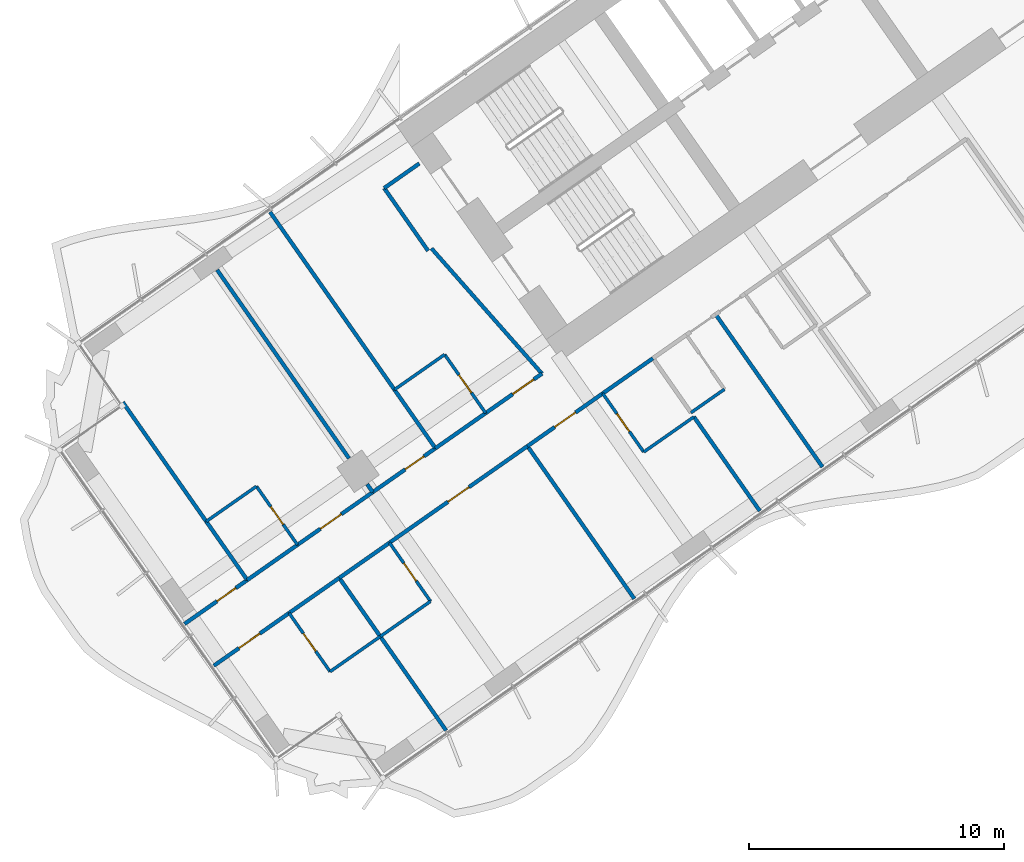
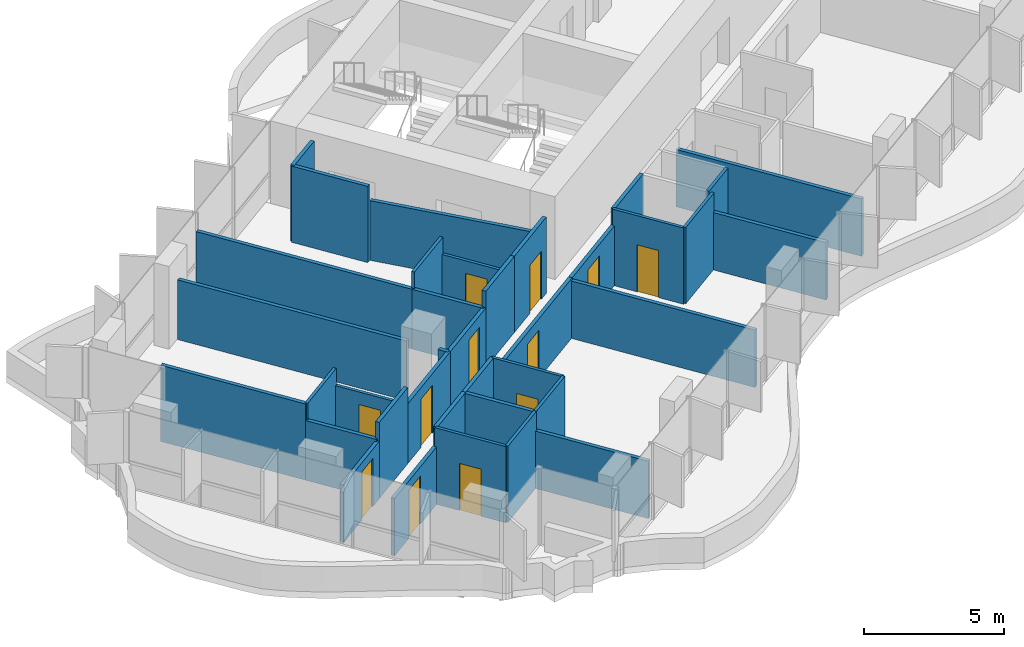
# One storey, part 12 of 23: 37 walls, 12 doors, 12 openings.
"""IFC4 building model written with IfcOpenShell, lengths in metres."""

from ifc_helpers import new_model, si_unit, direction, frame, frame_2d, origin, place, context, subcontext, project, spatial, rectangle, extrude, material, layer, layer_set, type_object, element, fill, save


model = new_model("IFC4")

# Units and contexts
model_context = context("Model", 3, precision=1e-05, world=origin(), true_north=direction((0.0, 1.0)))
body_context = subcontext(model_context, "Body", "Model", "MODEL_VIEW")
ifc_project = project(units=[si_unit("LENGTHUNIT", "METRE"), si_unit("AREAUNIT", "SQUARE_METRE"), si_unit("VOLUMEUNIT", "CUBIC_METRE"), si_unit("PLANEANGLEUNIT", "RADIAN"), si_unit("MASSUNIT", "GRAM", prefix="KILO")], contexts=[model_context])

# Site, building, storey
site_placement = place(None, origin())
site = spatial("IfcSite", under=ifc_project, at=site_placement, CompositionType="ELEMENT")
building_placement = place(site_placement, origin())
building = spatial("IfcBuilding", under=site, at=building_placement, Name="Tel Ilan Convention Tower", CompositionType="ELEMENT")
storey_placement = place(building_placement, frame((0.0, 0.0, 108.5)))
storey = spatial("IfcBuildingStorey", under=building, at=storey_placement, Name="L23", CompositionType="ELEMENT", Elevation=108.5)

# Wall, opening, door
ifc_material_1 = material(Name="Plasterboard on Steel Studs", Category="steel")
ifc_layer_1 = layer(ifc_material_1, 0.14990234375)
ifc_layer_set_1 = layer_set([ifc_layer_1], Name="Fire-rated Partition 150 EI 60")
wall_type_1 = type_object("IfcWallType", Name="Fire-rated Partition 150 EI 60", PredefinedType="PARTITIONING", material=ifc_layer_set_1)
wall_1_placement = place(storey_placement, frame((-24.493408203125, -18.37109375, 0.0), z_axis=(0.0, 0.0, 1.0), x_axis=(0.819176640776, 0.573541307325, 0.0)))
wall_1 = element("IfcWall", 1, at=wall_1_placement, inside=storey, type_object=wall_type_1, Name="Partition 016", PredefinedType="PARTITIONING", context=body_context, shape_type="SweptSolid", body=[
    extrude(rectangle(XDim=2.697509765625, YDim=0.14990234375, at=frame_2d((1.3486328125, 0.0))), origin(), (0.0, 0.0, 1.0), 3.320068359375),
])
opening_1_placement = place(wall_1_placement, frame((1.301025390625, 0.0, 0.0)))
opening_1 = element("IfcOpeningElement", 2, at=opening_1_placement, cuts=wall_1, Name="Opening L21-014", PredefinedType="OPENING", context=body_context, shape_type="SweptSolid", body=[
    extrude(rectangle(XDim=1.0, YDim=2.10009765625, at=frame_2d((0.5, 1.050048828125))), frame((0.0, 0.0849609375, 0.0), z_axis=(0.0, -1.0, 0.0), x_axis=(1.0, 0.0, 0.0)), (0.0, 0.0, 1.0), 0.169921875),
])
ifc_material_2 = material(Name="Timber Door Leaf in Steel Frame", Category="steel")
door_type_1 = type_object("IfcDoorType", Name="Hotel Room Entrance Fire Door 1000x2100", OperationType="NOTDEFINED", PredefinedType="DOOR", material=ifc_material_2)
door_1_placement = place(opening_1_placement, origin())
door_1 = element("IfcDoor", 3, at=door_1_placement, inside=storey, type_object=door_type_1, Name="Door L21-014", OperationType="SINGLE_SWING_RIGHT", OverallHeight=2.10009765625, OverallWidth=1.0, PredefinedType="DOOR", context=body_context, shape_type="SweptSolid", body=[
    extrude(rectangle(XDim=1.0, YDim=2.10009765625, at=frame_2d((0.5, 1.050048828125))), frame((0.0, 0.02490234375, 0.0), z_axis=(0.0, -1.0, 0.0), x_axis=(1.0, 0.0, 0.0)), (0.0, 0.0, 1.0), 0.050048828125),
])
fill(opening_1, door_1)

# Wall
wall_2_placement = place(storey_placement, frame((-26.460205078125, -19.748291015625, 0.0), z_axis=(0.0, 0.0, 1.0), x_axis=(0.819179439794, 0.573537309527, 0.0)))
element("IfcWall", 4, at=wall_2_placement, inside=storey, type_object=wall_type_1, Name="Partition 017", PredefinedType="PARTITIONING", context=body_context, shape_type="SweptSolid", body=[
    extrude(rectangle(XDim=2.404296875, YDim=0.14990234375, at=frame_2d((1.2021484375, 0.0))), origin(), (0.0, 0.0, 1.0), 3.320068359375),
])

# Wall, opening, door
wall_3_placement = place(storey_placement, frame((-28.91748046875, -21.468994140625, 0.0), z_axis=(0.0, 0.0, 1.0), x_axis=(0.81916700466, 0.573555070134, 0.0)))
wall_3 = element("IfcWall", 5, at=wall_3_placement, inside=storey, type_object=wall_type_1, Name="Partition 018", PredefinedType="PARTITIONING", context=body_context, shape_type="SweptSolid", body=[
    extrude(rectangle(XDim=3.00390625, YDim=0.14990234375, at=frame_2d((1.501953125, 0.0))), origin(), (0.0, 0.0, 1.0), 2.60009765625),
])
opening_2_placement = place(wall_3_placement, frame((1.552001953125, 0.0, 0.0)))
opening_2 = element("IfcOpeningElement", 6, at=opening_2_placement, cuts=wall_3, Name="Opening L21-015", PredefinedType="OPENING", context=body_context, shape_type="SweptSolid", body=[
    extrude(rectangle(XDim=0.89990234375, YDim=2.10009765625, at=frame_2d((0.449951171875, 1.050048828125))), frame((0.0, 0.0849609375, 0.0), z_axis=(0.0, -1.0, 0.0), x_axis=(1.0, 0.0, 0.0)), (0.0, 0.0, 1.0), 0.169921875),
])
ifc_material_3 = material(Name="Timber Door Leaf in Steel Frame", Category="steel")
door_type_2 = type_object("IfcDoorType", Name="Room Fire Door 900x2100", OperationType="NOTDEFINED", PredefinedType="DOOR", material=ifc_material_3)
door_2_placement = place(opening_2_placement, origin())
door_2 = element("IfcDoor", 7, at=door_2_placement, inside=storey, type_object=door_type_2, Name="Door L21-015", OperationType="SINGLE_SWING_LEFT", OverallHeight=2.10009765625, OverallWidth=0.89990234375, PredefinedType="DOOR", context=body_context, shape_type="SweptSolid", body=[
    extrude(rectangle(XDim=0.89990234375, YDim=2.10009765625, at=frame_2d((0.449951171875, 1.050048828125))), frame((0.0, 0.02490234375, 0.0), z_axis=(0.0, -1.0, 0.0), x_axis=(1.0, 0.0, 0.0)), (0.0, 0.0, 1.0), 0.050048828125),
])
fill(opening_2, door_2)

wall_4_placement = place(storey_placement, frame((-31.86572265625, -23.533447265625, 0.0), z_axis=(0.0, 0.0, 1.0), x_axis=(0.819145961204, 0.573585123798, 0.0)))
wall_4 = element("IfcWall", 8, at=wall_4_placement, inside=storey, type_object=wall_type_1, Name="Partition 019", PredefinedType="PARTITIONING", context=body_context, shape_type="SweptSolid", body=[
    extrude(rectangle(XDim=3.60302734375, YDim=0.14990234375, at=frame_2d((1.801513671875, 0.0))), origin(), (0.0, 0.0, 1.0), 2.60009765625),
])
opening_3_placement = place(wall_4_placement, frame((1.10107421875, 0.0, 0.0)))
opening_3 = element("IfcOpeningElement", 9, at=opening_3_placement, cuts=wall_4, Name="Opening L21-017", PredefinedType="OPENING", context=body_context, shape_type="SweptSolid", body=[
    extrude(rectangle(XDim=1.0, YDim=2.10009765625, at=frame_2d((0.5, 1.050048828125))), frame((0.0, 0.0849609375, 0.0), z_axis=(0.0, -1.0, 0.0), x_axis=(1.0, 0.0, 0.0)), (0.0, 0.0, 1.0), 0.169921875),
])
door_3_placement = place(opening_3_placement, origin())
door_3 = element("IfcDoor", 10, at=door_3_placement, inside=storey, type_object=door_type_1, Name="Door L21-017", OperationType="SINGLE_SWING_LEFT", OverallHeight=2.10009765625, OverallWidth=1.0, PredefinedType="DOOR", context=body_context, shape_type="SweptSolid", body=[
    extrude(rectangle(XDim=1.0, YDim=2.10009765625, at=frame_2d((0.5, 1.050048828125))), frame((0.0, 0.02490234375, 0.0), z_axis=(0.0, -1.0, 0.0), x_axis=(1.0, 0.0, 0.0)), (0.0, 0.0, 1.0), 0.050048828125),
])
fill(opening_3, door_3)

# Wall
wall_5_placement = place(storey_placement, frame((-33.83251953125, -24.910400390625, 0.0), z_axis=(0.0, 0.0, 1.0), x_axis=(0.819146032251, 0.573585022335, 0.0)))
element("IfcWall", 11, at=wall_5_placement, inside=storey, type_object=wall_type_1, Name="Partition 020", PredefinedType="PARTITIONING", context=body_context, shape_type="SweptSolid", body=[
    extrude(rectangle(XDim=2.404052734375, YDim=0.14990234375, at=frame_2d((1.2021484375, 0.0))), origin(), (0.0, 0.0, 1.0), 3.320068359375),
])

# Wall, opening, door
wall_6_placement = place(storey_placement, frame((-36.288330078125, -26.630126953125, 0.0), z_axis=(0.0, 0.0, 1.0), x_axis=(0.81915932427, 0.57356603932, 0.0)))
wall_6 = element("IfcWall", 12, at=wall_6_placement, inside=storey, type_object=wall_type_1, Name="Partition 021", PredefinedType="PARTITIONING", context=body_context, shape_type="SweptSolid", body=[
    extrude(rectangle(XDim=3.002197265625, YDim=0.14990234375, at=frame_2d((1.5009765625, 0.0))), origin(), (0.0, 0.0, 1.0), 2.5),
])
opening_4_placement = place(wall_6_placement, frame((1.551025390625, 0.0, 0.0)))
opening_4 = element("IfcOpeningElement", 13, at=opening_4_placement, cuts=wall_6, Name="Opening L21-018", PredefinedType="OPENING", context=body_context, shape_type="SweptSolid", body=[
    extrude(rectangle(XDim=0.89990234375, YDim=2.10009765625, at=frame_2d((0.449951171875, 1.050048828125))), frame((0.0, 0.0849609375, 0.0), z_axis=(0.0, -1.0, 0.0), x_axis=(1.0, 0.0, 0.0)), (0.0, 0.0, 1.0), 0.169921875),
])
door_4_placement = place(opening_4_placement, origin())
door_4 = element("IfcDoor", 14, at=door_4_placement, inside=storey, type_object=door_type_2, Name="Door L21-018", OperationType="SINGLE_SWING_RIGHT", OverallHeight=2.10009765625, OverallWidth=0.89990234375, PredefinedType="DOOR", context=body_context, shape_type="SweptSolid", body=[
    extrude(rectangle(XDim=0.89990234375, YDim=2.10009765625, at=frame_2d((0.449951171875, 1.050048828125))), frame((0.0, 0.02490234375, 0.0), z_axis=(0.0, -1.0, 0.0), x_axis=(1.0, 0.0, 0.0)), (0.0, 0.0, 1.0), 0.050048828125),
])
fill(opening_4, door_4)

wall_7_placement = place(storey_placement, frame((-19.904052734375, -17.599365234375, 0.0), z_axis=(0.0, 0.0, 1.0), x_axis=(-0.819145961204, -0.573585123798, 0.0)))
wall_7 = element("IfcWall", 15, at=wall_7_placement, inside=storey, type_object=wall_type_1, Name="Partition 028", PredefinedType="PARTITIONING", context=body_context, shape_type="SweptSolid", body=[
    extrude(rectangle(XDim=3.60302734375, YDim=0.14990234375, at=frame_2d((1.801513671875, 0.0))), origin(), (0.0, 0.0, 1.0), 2.60009765625),
])
opening_5_placement = place(wall_7_placement, frame((1.301025390625, 0.0, 0.0)))
opening_5 = element("IfcOpeningElement", 16, at=opening_5_placement, cuts=wall_7, Name="Opening L21-008", PredefinedType="OPENING", context=body_context, shape_type="SweptSolid", body=[
    extrude(rectangle(XDim=1.0, YDim=2.10009765625, at=frame_2d((0.5, 1.050048828125))), frame((0.0, 0.0849609375, 0.0), z_axis=(0.0, -1.0, 0.0), x_axis=(1.0, 0.0, 0.0)), (0.0, 0.0, 1.0), 0.169921875),
])
door_5_placement = place(opening_5_placement, origin())
door_5 = element("IfcDoor", 17, at=door_5_placement, inside=storey, type_object=door_type_1, Name="Door L21-008", OperationType="SINGLE_SWING_RIGHT", OverallHeight=2.10009765625, OverallWidth=1.0, PredefinedType="DOOR", context=body_context, shape_type="SweptSolid", body=[
    extrude(rectangle(XDim=1.0, YDim=2.10009765625, at=frame_2d((0.5, 1.050048828125))), frame((0.0, 0.02490234375, 0.0), z_axis=(0.0, -1.0, 0.0), x_axis=(1.0, 0.0, 0.0)), (0.0, 0.0, 1.0), 0.050048828125),
])
fill(opening_5, door_5)

# Wall
wall_8_placement = place(storey_placement, frame((-17.937255859375, -16.22216796875, 0.0), z_axis=(0.0, 0.0, 1.0), x_axis=(-0.819146032251, -0.573585022335, 0.0)))
element("IfcWall", 18, at=wall_8_placement, inside=storey, type_object=wall_type_1, Name="Partition 029", PredefinedType="PARTITIONING", context=body_context, shape_type="SweptSolid", body=[
    extrude(rectangle(XDim=2.404052734375, YDim=0.14990234375, at=frame_2d((1.2021484375, 0.0))), origin(), (0.0, 0.0, 1.0), 3.320068359375),
])

# Wall, opening, door
wall_9_placement = place(storey_placement, frame((-22.852294921875, -19.66357421875, 0.0), z_axis=(0.0, 0.0, 1.0), x_axis=(-0.819141582452, -0.573591377113, 0.0)))
wall_9 = element("IfcWall", 19, at=wall_9_placement, inside=storey, type_object=wall_type_1, Name="Partition 030", PredefinedType="PARTITIONING", context=body_context, shape_type="SweptSolid", body=[
    extrude(rectangle(XDim=6.602783203125, YDim=0.14990234375, at=frame_2d((3.30126953125, 0.0))), origin(), (0.0, 0.0, 1.0), 2.60009765625),
])
opening_6_placement = place(wall_9_placement, frame((2.802001953125, 0.0, 0.0)))
opening_6 = element("IfcOpeningElement", 20, at=opening_6_placement, cuts=wall_9, Name="Opening L21-010", PredefinedType="OPENING", context=body_context, shape_type="SweptSolid", body=[
    extrude(rectangle(XDim=1.0, YDim=2.10009765625, at=frame_2d((0.5, 1.050048828125))), frame((0.0, 0.0849609375, 0.0), z_axis=(0.0, -1.0, 0.0), x_axis=(1.0, 0.0, 0.0)), (0.0, 0.0, 1.0), 0.169921875),
])
door_6_placement = place(opening_6_placement, origin())
door_6 = element("IfcDoor", 21, at=door_6_placement, inside=storey, type_object=door_type_1, Name="Door L21-010", OperationType="SINGLE_SWING_LEFT", OverallHeight=2.10009765625, OverallWidth=1.0, PredefinedType="DOOR", context=body_context, shape_type="SweptSolid", body=[
    extrude(rectangle(XDim=1.0, YDim=2.10009765625, at=frame_2d((0.5, 1.050048828125))), frame((0.0, 0.02490234375, 0.0), z_axis=(0.0, -1.0, 0.0), x_axis=(1.0, 0.0, 0.0)), (0.0, 0.0, 1.0), 0.050048828125),
])
fill(opening_6, door_6)

# Wall
wall_10_placement = place(storey_placement, frame((-28.258544921875, -23.44921875, 0.0), z_axis=(0.0, 0.0, 1.0), x_axis=(-0.819146032251, -0.573585022335, 0.0)))
element("IfcWall", 22, at=wall_10_placement, inside=storey, type_object=wall_type_1, Name="Partition 031", PredefinedType="PARTITIONING", context=body_context, shape_type="SweptSolid", body=[
    extrude(rectangle(XDim=2.404052734375, YDim=0.14990234375, at=frame_2d((1.2021484375, 0.0))), origin(), (0.0, 0.0, 1.0), 3.320068359375),
])

# Wall, opening, door
wall_11_placement = place(storey_placement, frame((-32.19140625, -26.202880859375, 0.0), z_axis=(0.0, 0.0, 1.0), x_axis=(-0.819149096931, -0.573580645591, 0.0)))
wall_11 = element("IfcWall", 23, at=wall_11_placement, inside=storey, type_object=wall_type_1, Name="Partition 032", PredefinedType="PARTITIONING", context=body_context, shape_type="SweptSolid", body=[
    extrude(rectangle(XDim=3.600830078125, YDim=0.14990234375, at=frame_2d((1.80029296875, 0.0))), origin(), (0.0, 0.0, 1.0), 2.5),
])
opening_7_placement = place(wall_11_placement, frame((1.40087890625, 0.0, 0.0)))
opening_7 = element("IfcOpeningElement", 24, at=opening_7_placement, cuts=wall_11, Name="Opening L21-012", PredefinedType="OPENING", context=body_context, shape_type="SweptSolid", body=[
    extrude(rectangle(XDim=1.0, YDim=2.10009765625, at=frame_2d((0.5, 1.050048828125))), frame((0.0, 0.0849609375, 0.0), z_axis=(0.0, -1.0, 0.0), x_axis=(1.0, 0.0, 0.0)), (0.0, 0.0, 1.0), 0.169921875),
])
door_7_placement = place(opening_7_placement, origin())
door_7 = element("IfcDoor", 25, at=door_7_placement, inside=storey, type_object=door_type_1, Name="Door L21-012", OperationType="SINGLE_SWING_LEFT", OverallHeight=2.10009765625, OverallWidth=1.0, PredefinedType="DOOR", context=body_context, shape_type="SweptSolid", body=[
    extrude(rectangle(XDim=1.0, YDim=2.10009765625, at=frame_2d((0.5, 1.050048828125))), frame((0.0, 0.02490234375, 0.0), z_axis=(0.0, -1.0, 0.0), x_axis=(1.0, 0.0, 0.0)), (0.0, 0.0, 1.0), 0.050048828125),
])
fill(opening_7, door_7)

# Walls
wall_12_placement = place(storey_placement, frame((-30.224609375, -24.82568359375, 0.0), z_axis=(0.0, 0.0, 1.0), x_axis=(-0.819146032251, -0.573585022335, 0.0)))
element("IfcWall", 26, at=wall_12_placement, inside=storey, type_object=wall_type_1, Name="Partition 033", PredefinedType="PARTITIONING", context=body_context, shape_type="SweptSolid", body=[
    extrude(rectangle(XDim=2.404052734375, YDim=0.14990234375, at=frame_2d((1.2021484375, 0.0))), origin(), (0.0, 0.0, 1.0), 3.320068359375),
])
wall_13_placement = place(storey_placement, frame((-26.74609375, -12.013671875, 0.0), z_axis=(0.0, 0.0, 1.0), x_axis=(-0.573560650686, 0.819163097304, 0.0)))
element("IfcWall", 27, at=wall_13_placement, inside=storey, type_object=wall_type_1, Name="Partition 063", PredefinedType="PARTITIONING", context=body_context, shape_type="SweptSolid", body=[
    extrude(rectangle(XDim=3.0, YDim=0.14990234375, at=frame_2d((1.5, 0.0))), origin(), (0.0, 0.0, 1.0), 3.320068359375),
])
wall_14_placement = place(storey_placement, frame((-28.466796875, -9.55615234375, 0.0), z_axis=(0.0, 0.0, 1.0), x_axis=(0.819109000826, 0.573637903879, 0.0)))
element("IfcWall", 28, at=wall_14_placement, inside=storey, type_object=wall_type_1, Name="Partition 064", PredefinedType="PARTITIONING", context=body_context, shape_type="SweptSolid", body=[
    extrude(rectangle(XDim=1.679931640625, YDim=0.14990234375, at=frame_2d((0.83984375, 0.0))), origin(), (0.0, 0.0, 1.0), 3.320068359375),
])
wall_15_placement = place(storey_placement, frame((-22.2841796875, -16.82666015625, 0.0), z_axis=(0.0, 0.0, 1.0), x_axis=(-0.661545117561, 0.749905365651, 0.0)))
element("IfcWall", 29, at=wall_15_placement, inside=storey, type_object=wall_type_1, Name="Partition 065", PredefinedType="PARTITIONING", context=body_context, shape_type="SweptSolid", body=[
    extrude(rectangle(XDim=6.542724609375, YDim=0.14990234375, at=frame_2d((3.271484375, 0.0))), origin(), (0.0, 0.0, 1.0), 2.60009765625),
])
wall_16_placement = place(storey_placement, frame((-28.06494140625, -17.45263671875, 0.0), z_axis=(0.0, 0.0, 1.0), x_axis=(-0.573593433868, 0.819140142237, 0.0)))
element("IfcWall", 30, at=wall_16_placement, inside=storey, type_object=wall_type_1, Name="Partition 068", PredefinedType="PARTITIONING", context=body_context, shape_type="SweptSolid", body=[
    extrude(rectangle(XDim=8.4990234375, YDim=0.14990234375, at=frame_2d((4.24951171875, 0.0))), origin(), (0.0, 0.0, 1.0), 2.60009765625),
])
wall_17_placement = place(storey_placement, frame((-26.45849609375, -19.747314453125, 0.0), z_axis=(0.0, 0.0, 1.0), x_axis=(-0.573550118428, 0.819170471667, 0.0)))
element("IfcWall", 31, at=wall_17_placement, inside=storey, type_object=wall_type_1, Name="Partition 069", PredefinedType="PARTITIONING", context=body_context, shape_type="SweptSolid", body=[
    extrude(rectangle(XDim=2.800048828125, YDim=0.14990234375, at=frame_2d((1.39990234375, 0.0))), origin(), (0.0, 0.0, 1.0), 2.60009765625),
])
wall_18_placement = place(storey_placement, frame((-28.916015625, -21.468017578125, 0.0), z_axis=(0.0, 0.0, 1.0), x_axis=(-0.572944929411, 0.819593867633, 0.0)))
element("IfcWall", 32, at=wall_18_placement, inside=storey, type_object=wall_type_1, Name="Partition 070", PredefinedType="PARTITIONING", context=body_context, shape_type="SweptSolid", body=[
    extrude(rectangle(XDim=0.380126953125, YDim=0.14990234375, at=frame_2d((0.18994140625, 0.0))), origin(), (0.0, 0.0, 1.0), 2.60009765625),
])
wall_19_placement = place(storey_placement, frame((-29.84521484375, -20.140869140625, 0.0), z_axis=(0.0, 0.0, 1.0), x_axis=(-0.573558725113, 0.819164445546, 0.0)))
element("IfcWall", 33, at=wall_19_placement, inside=storey, type_object=wall_type_1, Name="Partition 071", PredefinedType="PARTITIONING", context=body_context, shape_type="SweptSolid", body=[
    extrude(rectangle(XDim=9.010009765625, YDim=0.14990234375, at=frame_2d((4.5048828125, 0.0))), origin(), (0.0, 0.0, 1.0), 2.60009765625),
])
wall_20_placement = place(storey_placement, frame((-35.4375, -22.614990234375, 0.0), z_axis=(0.0, 0.0, 1.0), x_axis=(-0.573568678046, 0.819157476658, 0.0)))
element("IfcWall", 34, at=wall_20_placement, inside=storey, type_object=wall_type_1, Name="Partition 074", PredefinedType="PARTITIONING", context=body_context, shape_type="SweptSolid", body=[
    extrude(rectangle(XDim=5.701171875, YDim=0.14990234375, at=frame_2d((2.8505859375, 0.0))), origin(), (0.0, 0.0, 1.0), 3.320068359375),
])
wall_21_placement = place(storey_placement, frame((-33.830810546875, -24.909423828125, 0.0), z_axis=(0.0, 0.0, 1.0), x_axis=(-0.573550118428, 0.819170471667, 0.0)))
element("IfcWall", 35, at=wall_21_placement, inside=storey, type_object=wall_type_1, Name="Partition 075", PredefinedType="PARTITIONING", context=body_context, shape_type="SweptSolid", body=[
    extrude(rectangle(XDim=2.800048828125, YDim=0.14990234375, at=frame_2d((1.39990234375, 0.0))), origin(), (0.0, 0.0, 1.0), 2.60009765625),
])
wall_22_placement = place(storey_placement, frame((-11.29443359375, -20.482421875, 0.0), z_axis=(0.0, 0.0, 1.0), x_axis=(-0.573572324301, 0.819154923562, 0.0)))
element("IfcWall", 36, at=wall_22_placement, inside=storey, type_object=wall_type_1, Name="Partition 082", PredefinedType="PARTITIONING", context=body_context, shape_type="SweptSolid", body=[
    extrude(rectangle(XDim=7.2998046875, YDim=0.14990234375, at=frame_2d((3.64990234375, 0.0))), origin(), (0.0, 0.0, 1.0), 2.5),
])
wall_23_placement = place(storey_placement, frame((-13.751708984375, -22.203125, 0.0), z_axis=(0.0, 0.0, 1.0), x_axis=(-0.573593387921, 0.81914017441, 0.0)))
element("IfcWall", 37, at=wall_23_placement, inside=storey, type_object=wall_type_1, Name="Partition 085", PredefinedType="PARTITIONING", context=body_context, shape_type="SweptSolid", body=[
    extrude(rectangle(XDim=4.5009765625, YDim=0.14990234375, at=frame_2d((2.25048828125, 0.0))), origin(), (0.0, 0.0, 1.0), 2.5),
])
wall_24_placement = place(storey_placement, frame((-18.666748046875, -25.64453125, 0.0), z_axis=(0.0, 0.0, 1.0), x_axis=(-0.573572324301, 0.819154923562, 0.0)))
element("IfcWall", 38, at=wall_24_placement, inside=storey, type_object=wall_type_1, Name="Partition 089", PredefinedType="PARTITIONING", context=body_context, shape_type="SweptSolid", body=[
    extrude(rectangle(XDim=7.2998046875, YDim=0.14990234375, at=frame_2d((3.64990234375, 0.0))), origin(), (0.0, 0.0, 1.0), 2.5),
])
wall_25_placement = place(storey_placement, frame((-26.0390625, -30.806640625, 0.0), z_axis=(0.0, 0.0, 1.0), x_axis=(-0.573589807488, 0.819142681555, 0.0)))
element("IfcWall", 39, at=wall_25_placement, inside=storey, type_object=wall_type_1, Name="Partition 092", PredefinedType="PARTITIONING", context=body_context, shape_type="SweptSolid", body=[
    extrude(rectangle(XDim=4.4990234375, YDim=0.14990234375, at=frame_2d((2.24951171875, 0.0))), origin(), (0.0, 0.0, 1.0), 2.5),
])
wall_26_placement = place(storey_placement, frame((-28.6201171875, -27.12060546875, 0.0), z_axis=(0.0, 0.0, 1.0), x_axis=(-0.573608623498, 0.819129505664, 0.0)))
element("IfcWall", 40, at=wall_26_placement, inside=storey, type_object=wall_type_1, Name="Partition 093", PredefinedType="PARTITIONING", context=body_context, shape_type="SweptSolid", body=[
    extrude(rectangle(XDim=2.800048828125, YDim=0.14990234375, at=frame_2d((1.39990234375, 0.0))), origin(), (0.0, 0.0, 1.0), 3.320068359375),
])
ifc_material_4 = material(Name="Plasterboard on Steel Studs", Category="steel")
ifc_layer_2 = layer(ifc_material_4, 0.1201171875)
ifc_layer_set_2 = layer_set([ifc_layer_2], Name="Moisture-resistant Partition 120")
wall_type_2 = type_object("IfcWallType", Name="Moisture-resistant Partition 120", PredefinedType="PARTITIONING", material=ifc_layer_set_2)
wall_27_placement = place(storey_placement, frame((-26.09912109375, -16.076171875, 0.0), z_axis=(0.0, 0.0, 1.0), x_axis=(-0.819155442668, -0.573571582932, 0.0)))
element("IfcWall", 41, at=wall_27_placement, inside=storey, type_object=wall_type_2, Name="Partition 066", PredefinedType="PARTITIONING", context=body_context, shape_type="SweptSolid", body=[
    extrude(rectangle(XDim=2.39990234375, YDim=0.1201171875, at=frame_2d((1.199951171875, 0.0))), origin(), (0.0, 0.0, 1.0), 3.320068359375),
])

# Wall, opening, door
wall_28_placement = place(storey_placement, frame((-24.49169921875, -18.3701171875, 0.0), z_axis=(0.0, 0.0, 1.0), x_axis=(-0.573550118428, 0.819170471667, 0.0)))
wall_28 = element("IfcWall", 42, at=wall_28_placement, inside=storey, type_object=wall_type_2, Name="Partition 067", PredefinedType="PARTITIONING", context=body_context, shape_type="SweptSolid", body=[
    extrude(rectangle(XDim=2.800048828125, YDim=0.1201171875, at=frame_2d((1.39990234375, 0.0))), origin(), (0.0, 0.0, 1.0), 2.60009765625),
])
opening_8_placement = place(wall_28_placement, frame((0.97509765625, 0.0, 0.0)))
opening_8 = element("IfcOpeningElement", 43, at=opening_8_placement, cuts=wall_28, Name="Opening L21-013", PredefinedType="OPENING", context=body_context, shape_type="SweptSolid", body=[
    extrude(rectangle(XDim=0.85009765625, YDim=2.050048828125, at=frame_2d((0.425048828125, 1.02490234375))), frame((0.0, 0.070068359375, 0.0), z_axis=(0.0, -1.0, 0.0), x_axis=(1.0, 0.0, 0.0)), (0.0, 0.0, 1.0), 0.14013671875),
])
ifc_material_5 = material(Name="Timber Door Leaf in Steel Frame", Category="steel")
door_type_3 = type_object("IfcDoorType", Name="Bathroom Timber Door 850x2050", OperationType="NOTDEFINED", PredefinedType="DOOR", material=ifc_material_5)
door_8_placement = place(opening_8_placement, origin())
door_8 = element("IfcDoor", 44, at=door_8_placement, inside=storey, type_object=door_type_3, Name="Door L21-013", OperationType="SINGLE_SWING_LEFT", OverallHeight=2.050048828125, OverallWidth=0.85009765625, PredefinedType="DOOR", context=body_context, shape_type="SweptSolid", body=[
    extrude(rectangle(XDim=0.85009765625, YDim=2.050048828125, at=frame_2d((0.425048828125, 1.02490234375))), frame((0.0, 0.02490234375, 0.0), z_axis=(0.0, -1.0, 0.0), x_axis=(1.0, 0.0, 0.0)), (0.0, 0.0, 1.0), 0.050048828125),
])
fill(opening_8, door_8)

wall_29_placement = place(storey_placement, frame((-31.864013671875, -23.5322265625, 0.0), z_axis=(0.0, 0.0, 1.0), x_axis=(-0.573550118428, 0.819170471667, 0.0)))
wall_29 = element("IfcWall", 45, at=wall_29_placement, inside=storey, type_object=wall_type_2, Name="Partition 072", PredefinedType="PARTITIONING", context=body_context, shape_type="SweptSolid", body=[
    extrude(rectangle(XDim=2.800048828125, YDim=0.1201171875, at=frame_2d((1.39990234375, 0.0))), origin(), (0.0, 0.0, 1.0), 2.60009765625),
])
opening_9_placement = place(wall_29_placement, frame((0.97509765625, 0.0, 0.0)))
opening_9 = element("IfcOpeningElement", 46, at=opening_9_placement, cuts=wall_29, Name="Opening L21-016", PredefinedType="OPENING", context=body_context, shape_type="SweptSolid", body=[
    extrude(rectangle(XDim=0.85009765625, YDim=2.050048828125, at=frame_2d((0.425048828125, 1.02490234375))), frame((0.0, 0.070068359375, 0.0), z_axis=(0.0, -1.0, 0.0), x_axis=(1.0, 0.0, 0.0)), (0.0, 0.0, 1.0), 0.14013671875),
])
door_9_placement = place(opening_9_placement, origin())
door_9 = element("IfcDoor", 47, at=door_9_placement, inside=storey, type_object=door_type_3, Name="Door L21-016", OperationType="SINGLE_SWING_RIGHT", OverallHeight=2.050048828125, OverallWidth=0.85009765625, PredefinedType="DOOR", context=body_context, shape_type="SweptSolid", body=[
    extrude(rectangle(XDim=0.85009765625, YDim=2.050048828125, at=frame_2d((0.425048828125, 1.02490234375))), frame((0.0, 0.02490234375, 0.0), z_axis=(0.0, -1.0, 0.0), x_axis=(1.0, 0.0, 0.0)), (0.0, 0.0, 1.0), 0.050048828125),
])
fill(opening_9, door_9)

# Walls
wall_30_placement = place(storey_placement, frame((-33.471435546875, -21.23828125, 0.0), z_axis=(0.0, 0.0, 1.0), x_axis=(-0.819141114317, -0.573592045652, 0.0)))
element("IfcWall", 48, at=wall_30_placement, inside=storey, type_object=wall_type_2, Name="Partition 073", PredefinedType="PARTITIONING", context=body_context, shape_type="SweptSolid", body=[
    extrude(rectangle(XDim=2.400146484375, YDim=0.1201171875, at=frame_2d((1.2001953125, 0.0))), origin(), (0.0, 0.0, 1.0), 3.320068359375),
])
wall_31_placement = place(storey_placement, frame((-16.447021484375, -18.35400390625, 0.0), z_axis=(0.0, 0.0, 1.0), x_axis=(0.819131543282, 0.57360571371, 0.0)))
element("IfcWall", 49, at=wall_31_placement, inside=storey, type_object=wall_type_2, Name="Partition 083", PredefinedType="PARTITIONING", context=body_context, shape_type="SweptSolid", body=[
    extrude(rectangle(XDim=1.599853515625, YDim=0.1201171875, at=frame_2d((0.7998046875, 0.0))), origin(), (0.0, 0.0, 1.0), 3.320068359375),
])

# Wall, opening, door
wall_32_placement = place(storey_placement, frame((-19.90576171875, -17.600341796875, 0.0), z_axis=(0.0, 0.0, 1.0), x_axis=(0.573550118428, -0.819170471667, 0.0)))
wall_32 = element("IfcWall", 50, at=wall_32_placement, inside=storey, type_object=wall_type_2, Name="Partition 087", PredefinedType="PARTITIONING", context=body_context, shape_type="SweptSolid", body=[
    extrude(rectangle(XDim=2.800048828125, YDim=0.1201171875, at=frame_2d((1.39990234375, 0.0))), origin(), (0.0, 0.0, 1.0), 3.320068359375),
])
opening_10_placement = place(wall_32_placement, frame((0.97509765625, 0.0, 0.0)))
opening_10 = element("IfcOpeningElement", 51, at=opening_10_placement, cuts=wall_32, Name="Opening L21-007", PredefinedType="OPENING", context=body_context, shape_type="SweptSolid", body=[
    extrude(rectangle(XDim=0.85009765625, YDim=2.050048828125, at=frame_2d((0.425048828125, 1.02490234375))), frame((0.0, 0.070068359375, 0.0), z_axis=(0.0, -1.0, 0.0), x_axis=(1.0, 0.0, 0.0)), (0.0, 0.0, 1.0), 0.14013671875),
])
door_10_placement = place(opening_10_placement, origin())
door_10 = element("IfcDoor", 52, at=door_10_placement, inside=storey, type_object=door_type_3, Name="Door L21-007", OperationType="SINGLE_SWING_LEFT", OverallHeight=2.050048828125, OverallWidth=0.85009765625, PredefinedType="DOOR", context=body_context, shape_type="SweptSolid", body=[
    extrude(rectangle(XDim=0.85009765625, YDim=2.050048828125, at=frame_2d((0.425048828125, 1.02490234375))), frame((0.0, 0.02490234375, 0.0), z_axis=(0.0, -1.0, 0.0), x_axis=(1.0, 0.0, 0.0)), (0.0, 0.0, 1.0), 0.050048828125),
])
fill(opening_10, door_10)

# Walls
wall_33_placement = place(storey_placement, frame((-18.29833984375, -19.894287109375, 0.0), z_axis=(0.0, 0.0, 1.0), x_axis=(0.819141114317, 0.573592045652, 0.0)))
element("IfcWall", 53, at=wall_33_placement, inside=storey, type_object=wall_type_2, Name="Partition 088", PredefinedType="PARTITIONING", context=body_context, shape_type="SweptSolid", body=[
    extrude(rectangle(XDim=2.400146484375, YDim=0.1201171875, at=frame_2d((1.2001953125, 0.0))), origin(), (0.0, 0.0, 1.0), 3.320068359375),
])
wall_34_placement = place(storey_placement, frame((-28.61962890625, -27.121337890625, 0.0), z_axis=(0.0, 0.0, 1.0), x_axis=(0.819188907105, 0.573523787192, 0.0)))
element("IfcWall", 54, at=wall_34_placement, inside=storey, type_object=wall_type_2, Name="Partition 090", PredefinedType="PARTITIONING", context=body_context, shape_type="SweptSolid", body=[
    extrude(rectangle(XDim=2.39990234375, YDim=0.1201171875, at=frame_2d((1.199951171875, 0.0))), origin(), (0.0, 0.0, 1.0), 3.320068359375),
])

# Wall, opening, door
wall_35_placement = place(storey_placement, frame((-26.6533203125, -25.743408203125, 0.0), z_axis=(0.0, 0.0, 1.0), x_axis=(-0.573608623498, 0.819129505664, 0.0)))
wall_35 = element("IfcWall", 55, at=wall_35_placement, inside=storey, type_object=wall_type_2, Name="Partition 091", PredefinedType="PARTITIONING", context=body_context, shape_type="SweptSolid", body=[
    extrude(rectangle(XDim=2.800048828125, YDim=0.1201171875, at=frame_2d((1.39990234375, 0.0))), origin(), (0.0, 0.0, 1.0), 3.320068359375),
])
opening_11_placement = place(wall_35_placement, frame((0.97509765625, 0.0, 0.0)))
opening_11 = element("IfcOpeningElement", 56, at=opening_11_placement, cuts=wall_35, Name="Opening L21-009", PredefinedType="OPENING", context=body_context, shape_type="SweptSolid", body=[
    extrude(rectangle(XDim=0.85009765625, YDim=2.050048828125, at=frame_2d((0.425048828125, 1.02490234375))), frame((0.0, 0.070068359375, 0.0), z_axis=(0.0, -1.0, 0.0), x_axis=(1.0, 0.0, 0.0)), (0.0, 0.0, 1.0), 0.14013671875),
])
door_11_placement = place(opening_11_placement, origin())
door_11 = element("IfcDoor", 57, at=door_11_placement, inside=storey, type_object=door_type_3, Name="Door L21-009", OperationType="SINGLE_SWING_LEFT", OverallHeight=2.050048828125, OverallWidth=0.85009765625, PredefinedType="DOOR", context=body_context, shape_type="SweptSolid", body=[
    extrude(rectangle(XDim=0.85009765625, YDim=2.050048828125, at=frame_2d((0.425048828125, 1.02490234375))), frame((0.0, 0.02490234375, 0.0), z_axis=(0.0, -1.0, 0.0), x_axis=(1.0, 0.0, 0.0)), (0.0, 0.0, 1.0), 0.050048828125),
])
fill(opening_11, door_11)

wall_36_placement = place(storey_placement, frame((-32.193115234375, -26.2041015625, 0.0), z_axis=(0.0, 0.0, 1.0), x_axis=(0.573608623498, -0.819129505664, 0.0)))
wall_36 = element("IfcWall", 58, at=wall_36_placement, inside=storey, type_object=wall_type_2, Name="Partition 094", PredefinedType="PARTITIONING", context=body_context, shape_type="SweptSolid", body=[
    extrude(rectangle(XDim=2.800048828125, YDim=0.1201171875, at=frame_2d((1.39990234375, 0.0))), origin(), (0.0, 0.0, 1.0), 3.320068359375),
])
opening_12_placement = place(wall_36_placement, frame((0.97509765625, 0.0, 0.0)))
opening_12 = element("IfcOpeningElement", 59, at=opening_12_placement, cuts=wall_36, Name="Opening L21-011", PredefinedType="OPENING", context=body_context, shape_type="SweptSolid", body=[
    extrude(rectangle(XDim=0.85009765625, YDim=2.050048828125, at=frame_2d((0.425048828125, 1.02490234375))), frame((0.0, 0.070068359375, 0.0), z_axis=(0.0, -1.0, 0.0), x_axis=(1.0, 0.0, 0.0)), (0.0, 0.0, 1.0), 0.14013671875),
])
door_12_placement = place(opening_12_placement, origin())
door_12 = element("IfcDoor", 60, at=door_12_placement, inside=storey, type_object=door_type_3, Name="Door L21-011", OperationType="SINGLE_SWING_LEFT", OverallHeight=2.050048828125, OverallWidth=0.85009765625, PredefinedType="DOOR", context=body_context, shape_type="SweptSolid", body=[
    extrude(rectangle(XDim=0.85009765625, YDim=2.050048828125, at=frame_2d((0.425048828125, 1.02490234375))), frame((0.0, 0.02490234375, 0.0), z_axis=(0.0, -1.0, 0.0), x_axis=(1.0, 0.0, 0.0)), (0.0, 0.0, 1.0), 0.050048828125),
])
fill(opening_12, door_12)

# Wall
wall_37_placement = place(storey_placement, frame((-30.585693359375, -28.498046875, 0.0), z_axis=(0.0, 0.0, 1.0), x_axis=(0.819141114317, 0.573592045652, 0.0)))
element("IfcWall", 61, at=wall_37_placement, inside=storey, type_object=wall_type_2, Name="Partition 095", PredefinedType="PARTITIONING", context=body_context, shape_type="SweptSolid", body=[
    extrude(rectangle(XDim=2.400146484375, YDim=0.1201171875, at=frame_2d((1.2001953125, 0.0))), origin(), (0.0, 0.0, 1.0), 3.320068359375),
])

save(model, "model.ifc")
